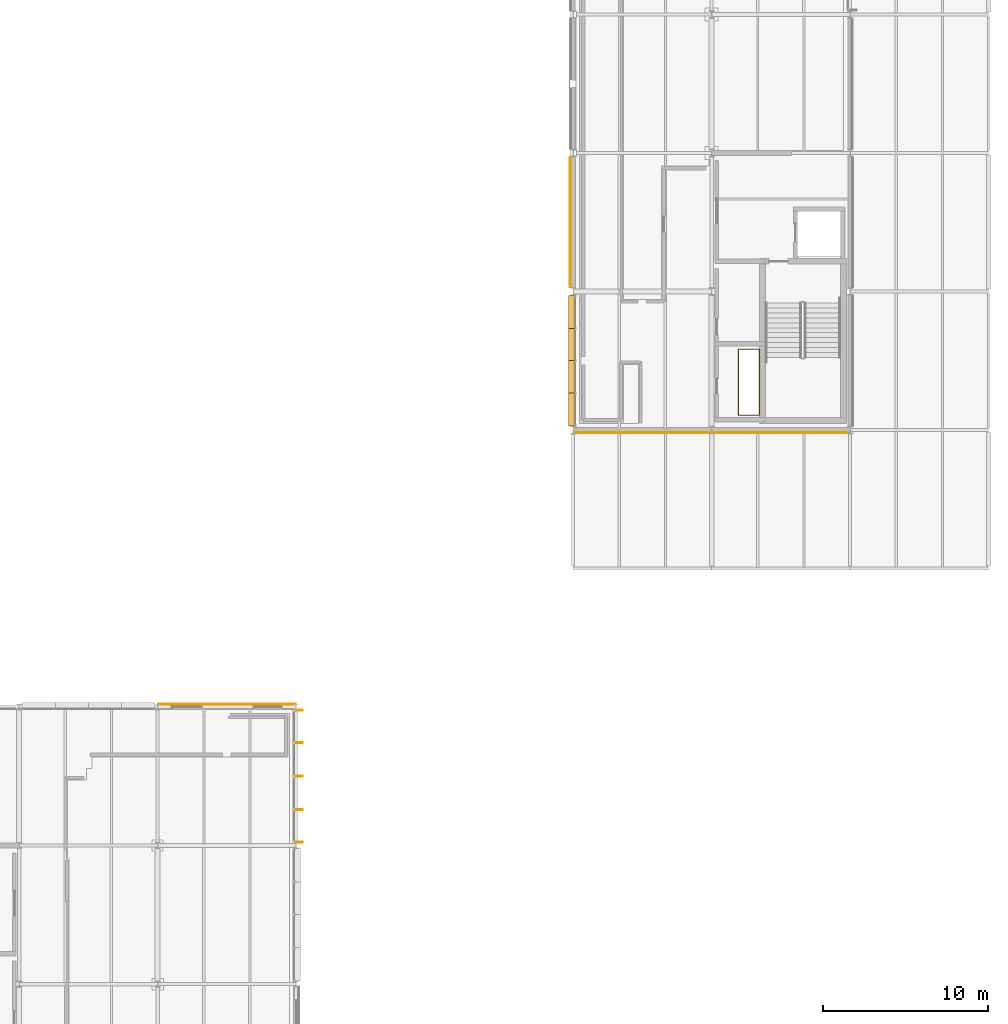
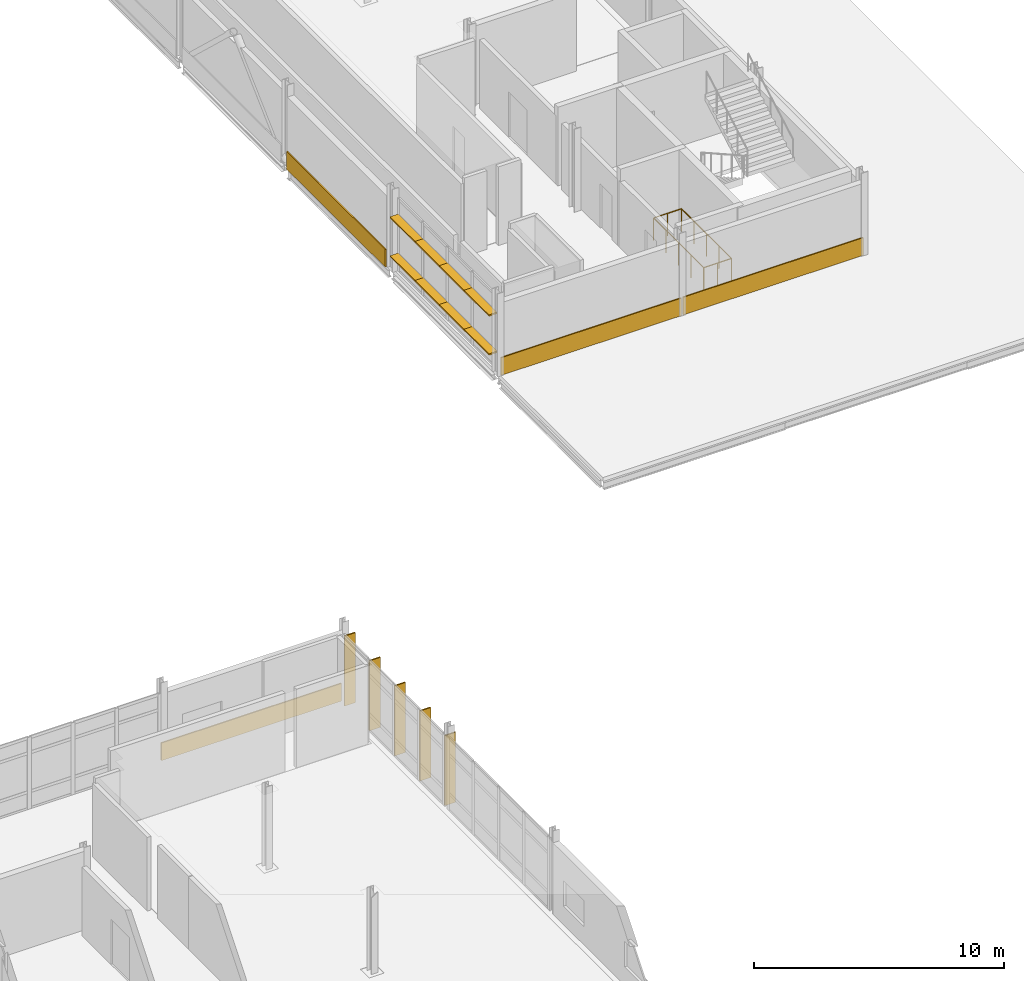
# One storey, part 146 of 151: 13 shading devices, 4 coverings, 1 railing.
"""IFC4 building model written with IfcOpenShell, lengths in metres."""

from ifc_helpers import new_model, si_unit, direction, frame, origin, origin_2d, place, context, subcontext, project, spatial, rectangle, circle, extrude, material, layer, layer_set, type_object, element, save


model = new_model("IFC4")

# Units and contexts
model_context = context("Model", 3, precision=1e-05, world=origin(), true_north=direction((0.0, 1.0)))
body_context = subcontext(model_context, "Body", "Model", "MODEL_VIEW")
ifc_project = project(units=[si_unit("LENGTHUNIT", "METRE"), si_unit("AREAUNIT", "SQUARE_METRE"), si_unit("VOLUMEUNIT", "CUBIC_METRE"), si_unit("PLANEANGLEUNIT", "RADIAN"), si_unit("MASSUNIT", "GRAM", prefix="KILO")], contexts=[model_context])

# Site, building, storey
site_placement = place(None, origin())
site = spatial("IfcSite", under=ifc_project, at=site_placement, CompositionType="ELEMENT")
building_placement = place(site_placement, origin())
building = spatial("IfcBuilding", under=site, at=building_placement, Name="Mersafa Astral City Hall", CompositionType="ELEMENT")
storey_placement = place(building_placement, frame((0.0, 0.0, 9.89990234375)))
storey = spatial("IfcBuildingStorey", under=building, at=storey_placement, Name="L02", CompositionType="ELEMENT", Elevation=9.89990234375)

# Coverings
ifc_material_1 = material(Name="Cairo Mokattam buff limestone cladding", Category="masonry")
ifc_layer = layer(ifc_material_1, 0.06005859375, Name="Cairo Mokattam buff limestone cladding")
ifc_layer_set = layer_set([ifc_layer], Name="Cairo Mokattam buff limestone cladding — ENV-COV-LIMESTONE-60")
covering_type = type_object("IfcCoveringType", Name="ENV-COV-LIMESTONE-60", PredefinedType="CLADDING", material=ifc_layer_set)
covering_1_placement = place(storey_placement, frame((138.60009765625, 33.761962890625, 0.0), z_axis=(0.0, 0.0, 1.0), x_axis=(-1.0, 0.0, 0.0)))
element("IfcCovering", 1, at=covering_1_placement, inside=storey, type_object=covering_type, Name="L02 Cairo buff limestone rainscreen cladding 157", PredefinedType="CLADDING", context=body_context, shape_type="SweptSolid", body=[
    extrude(rectangle(XDim=8.323974609375, YDim=0.06005859375, at=origin_2d()), origin(), (0.0, 0.0, 1.0), 0.860107421875),
])
covering_2_placement = place(storey_placement, frame((159.423095703125, 63.0, 0.0), z_axis=(0.0, 0.0, 1.0), x_axis=(0.0, -1.0, 0.0)))
element("IfcCovering", 2, at=covering_2_placement, inside=storey, type_object=covering_type, Name="L02 Cairo buff limestone rainscreen cladding 167", PredefinedType="CLADDING", context=body_context, shape_type="SweptSolid", body=[
    extrude(rectangle(XDim=7.89794921875, YDim=0.06005859375, at=origin_2d()), origin(), (0.0, 0.0, 1.0), 0.860107421875),
])
for number, where, z_axis, x_axis, name in (
    (3, (163.800048828125, 50.23046875, 0.0), (0.0, 0.0, 1.0), (1.0, 0.0, 0.0), "L02 Cairo buff limestone rainscreen cladding 168"),
    (4, (172.199951171875, 50.238037109375, 0.0), (0.0, 0.0, 1.0), (1.0, 0.0, 0.0), "L02 Cairo buff limestone rainscreen cladding 169"),
):
    element("IfcCovering", number, at=place(storey_placement, frame(where, z_axis=z_axis, x_axis=x_axis)), inside=storey, type_object=covering_type, Name=name, PredefinedType="CLADDING", context=body_context, shape_type="SweptSolid", body=[
        extrude(rectangle(XDim=8.323974609375, YDim=0.06005859375, at=origin_2d()), origin(), (0.0, 0.0, 1.0), 0.860107421875),
    ])

# Shading devices
ifc_material_2 = material(Name="Anodised bronze aluminium solar fin", Category="aluminium")
shading_device_type_1 = type_object("IfcShadingDeviceType", Name="ENV-SHD-FIN-500A", PredefinedType="USERDEFINED", material=ifc_material_2)
for number, where, z_axis, x_axis, name in (
    (5, (142.945068359375, 25.39208984375, -0.01513671875), (0.0, 0.0, 1.0), (0.0, 1.0, 0.0), "L02 Vertical bronze solar fin 690"),
    (6, (142.945068359375, 27.381103515625, -0.01513671875), (0.0, 0.0, 1.0), (0.0, 1.0, 0.0), "L02 Vertical bronze solar fin 691"),
    (7, (142.945068359375, 29.39990234375, -0.01513671875), (0.0, 0.0, 1.0), (0.0, 1.0, 0.0), "L02 Vertical bronze solar fin 692"),
    (8, (142.945068359375, 31.4189453125, -0.01513671875), (0.0, 0.0, 1.0), (0.0, 1.0, 0.0), "L02 Vertical bronze solar fin 693"),
    (9, (142.945068359375, 33.407958984375, -0.01513671875), (0.0, 0.0, 1.0), (0.0, 1.0, 0.0), "L02 Vertical bronze solar fin 694"),
):
    element("IfcShadingDevice", number, at=place(storey_placement, frame(where, z_axis=z_axis, x_axis=x_axis)), inside=storey, type_object=shading_device_type_1, Name=name, ObjectType="FIN", PredefinedType="USERDEFINED", context=body_context, shape_type="SweptSolid", body=[
        extrude(rectangle(XDim=0.06005859375, YDim=0.5, at=origin_2d()), origin(), (0.0, 0.0, 1.0), 3.422119140625),
    ])
ifc_material_3 = material(Name="Kiln-dried cedar timber brise-soleil blade", Category="wood")
shading_device_type_2 = type_object("IfcShadingDeviceType", Name="ENV-SHD-LOUVRE-380", PredefinedType="JALOUSIE", material=ifc_material_3)
shading_device_1_placement = place(storey_placement, frame((159.52001953125, 57.557373046875, 0.81494140625), z_axis=(0.0, 0.0, 1.0), x_axis=(0.0, -1.0, 0.0)))
element("IfcShadingDevice", 10, at=shading_device_1_placement, inside=storey, type_object=shading_device_type_2, Name="L02 Horizontal cedar brise-soleil louvre 784", PredefinedType="JALOUSIE", context=body_context, shape_type="SweptSolid", body=[
    extrude(rectangle(XDim=1.991455078125, YDim=0.3798828125, at=origin_2d()), origin(), (0.0, 0.0, 1.0), 0.070068359375),
])
for number, where, z_axis, x_axis, name in (
    (11, (159.52001953125, 55.5908203125, 0.81494140625), (0.0, 0.0, 1.0), (0.0, -1.0, 0.0), "L02 Horizontal cedar brise-soleil louvre 785"),
    (12, (159.52001953125, 53.609375, 0.81494140625), (0.0, 0.0, 1.0), (0.0, -1.0, 0.0), "L02 Horizontal cedar brise-soleil louvre 786"),
):
    element("IfcShadingDevice", number, at=place(storey_placement, frame(where, z_axis=z_axis, x_axis=x_axis)), inside=storey, type_object=shading_device_type_2, Name=name, PredefinedType="JALOUSIE", context=body_context, shape_type="SweptSolid", body=[
        extrude(rectangle(XDim=2.021484375, YDim=0.3798828125, at=origin_2d()), origin(), (0.0, 0.0, 1.0), 0.070068359375),
    ])
for number, where, z_axis, x_axis, name in (
    (13, (159.52001953125, 51.642578125, 0.81494140625), (0.0, 0.0, 1.0), (0.0, -1.0, 0.0), "L02 Horizontal cedar brise-soleil louvre 787"),
    (14, (159.52001953125, 57.557373046875, 2.71484375), (0.0, 0.0, 1.0), (0.0, -1.0, 0.0), "L02 Horizontal cedar brise-soleil louvre 788"),
):
    element("IfcShadingDevice", number, at=place(storey_placement, frame(where, z_axis=z_axis, x_axis=x_axis)), inside=storey, type_object=shading_device_type_2, Name=name, PredefinedType="JALOUSIE", context=body_context, shape_type="SweptSolid", body=[
        extrude(rectangle(XDim=1.991455078125, YDim=0.3798828125, at=origin_2d()), origin(), (0.0, 0.0, 1.0), 0.070068359375),
    ])
for number, where, z_axis, x_axis, name in (
    (15, (159.52001953125, 55.5908203125, 2.71484375), (0.0, 0.0, 1.0), (0.0, -1.0, 0.0), "L02 Horizontal cedar brise-soleil louvre 789"),
    (16, (159.52001953125, 53.609375, 2.71484375), (0.0, 0.0, 1.0), (0.0, -1.0, 0.0), "L02 Horizontal cedar brise-soleil louvre 790"),
):
    element("IfcShadingDevice", number, at=place(storey_placement, frame(where, z_axis=z_axis, x_axis=x_axis)), inside=storey, type_object=shading_device_type_2, Name=name, PredefinedType="JALOUSIE", context=body_context, shape_type="SweptSolid", body=[
        extrude(rectangle(XDim=2.021484375, YDim=0.3798828125, at=origin_2d()), origin(), (0.0, 0.0, 1.0), 0.070068359375),
    ])
shading_device_2_placement = place(storey_placement, frame((159.52001953125, 51.642578125, 2.71484375), z_axis=(0.0, 0.0, 1.0), x_axis=(0.0, -1.0, 0.0)))
element("IfcShadingDevice", 17, at=shading_device_2_placement, inside=storey, type_object=shading_device_type_2, Name="L02 Horizontal cedar brise-soleil louvre 791", PredefinedType="JALOUSIE", context=body_context, shape_type="SweptSolid", body=[
    extrude(rectangle(XDim=1.991455078125, YDim=0.3798828125, at=origin_2d()), origin(), (0.0, 0.0, 1.0), 0.070068359375),
])

# Railing
ifc_material_4 = material(Name="Painted architectural steel stair guard balustrade", Category="steel")
railing_type = type_object("IfcRailingType", Name="GUARD-RAIL", PredefinedType="BALUSTRADE", material=ifc_material_4)
railing_placement = place(storey_placement, frame((169.6201171875, 51.300048828125, 0.0)))
element("IfcRailing", 18, at=railing_placement, inside=storey, type_object=railing_type, Name="L02 K4 MEP Riser Shaft Guard", PredefinedType="BALUSTRADE", context=body_context, shape_type="SweptSolid", body=[
    extrude(circle(Radius=0.02392578125, at=origin_2d()), frame((0.0, 0.0, 1.09619140625), z_axis=(1.0, 0.0, 0.0), x_axis=(0.0, 1.0, 0.0)), (0.0, 0.0, 1.0), 1.27978515625),
    extrude(circle(Radius=0.02392578125, at=origin_2d()), frame((1.27978515625, 0.0, 1.09619140625), z_axis=(0.0, 1.0, 0.0), x_axis=(-1.0, 0.0, 0.0)), (0.0, 0.0, 1.0), 4.0),
    extrude(circle(Radius=0.02392578125, at=origin_2d()), frame((1.27978515625, 4.0, 1.09619140625), z_axis=(-1.0, 0.0, 0.0), x_axis=(0.0, -1.0, 0.0)), (0.0, 0.0, 1.0), 1.27978515625),
    extrude(circle(Radius=0.02392578125, at=origin_2d()), frame((0.0, 4.0, 1.09619140625), z_axis=(0.0, -1.0, 0.0), x_axis=(1.0, 0.0, 0.0)), (0.0, 0.0, 1.0), 4.0),
    extrude(circle(Radius=0.02099609375, at=origin_2d()), origin(), (0.0, 0.0, 1.0), 1.072021484375),
    extrude(circle(Radius=0.02099609375, at=origin_2d()), frame((0.639892578125, 0.0, 0.0)), (0.0, 0.0, 1.0), 1.072021484375),
    extrude(circle(Radius=0.02099609375, at=origin_2d()), frame((1.27978515625, 0.0, 0.0)), (0.0, 0.0, 1.0), 1.072021484375),
    extrude(circle(Radius=0.02099609375, at=origin_2d()), frame((1.27978515625, 1.0, 0.0)), (0.0, 0.0, 1.0), 1.072021484375),
    extrude(circle(Radius=0.02099609375, at=origin_2d()), frame((1.27978515625, 2.0, 0.0)), (0.0, 0.0, 1.0), 1.072021484375),
    extrude(circle(Radius=0.02099609375, at=origin_2d()), frame((1.27978515625, 3.0, 0.0)), (0.0, 0.0, 1.0), 1.072021484375),
    extrude(circle(Radius=0.02099609375, at=origin_2d()), frame((1.27978515625, 4.0, 0.0)), (0.0, 0.0, 1.0), 1.072021484375),
    extrude(circle(Radius=0.02099609375, at=origin_2d()), frame((0.639892578125, 4.0, 0.0)), (0.0, 0.0, 1.0), 1.072021484375),
    extrude(circle(Radius=0.02099609375, at=origin_2d()), frame((0.0, 4.0, 0.0)), (0.0, 0.0, 1.0), 1.072021484375),
    extrude(circle(Radius=0.02099609375, at=origin_2d()), frame((0.0, 3.0, 0.0)), (0.0, 0.0, 1.0), 1.072021484375),
    extrude(circle(Radius=0.02099609375, at=origin_2d()), frame((0.0, 2.0, 0.0)), (0.0, 0.0, 1.0), 1.072021484375),
    extrude(circle(Radius=0.02099609375, at=origin_2d()), frame((0.0, 1.0, 0.0)), (0.0, 0.0, 1.0), 1.072021484375),
])

save(model, "model.ifc")
